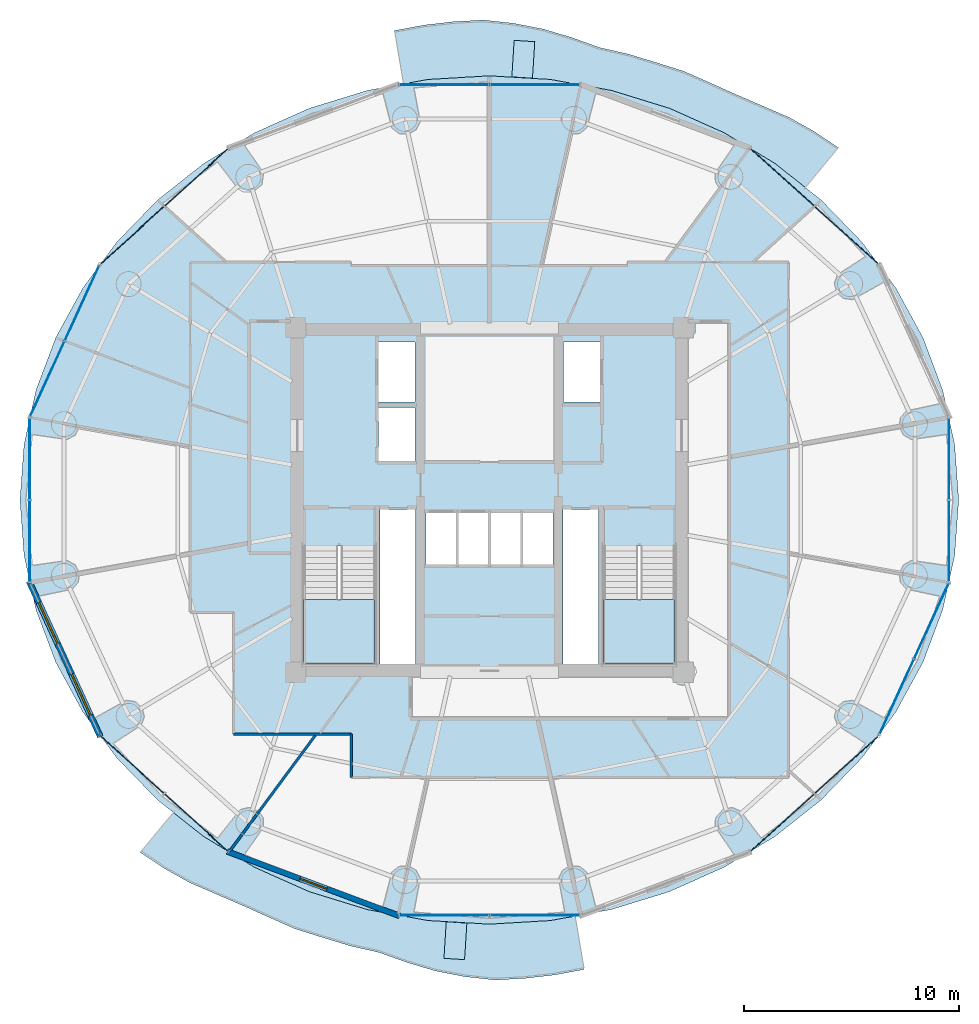
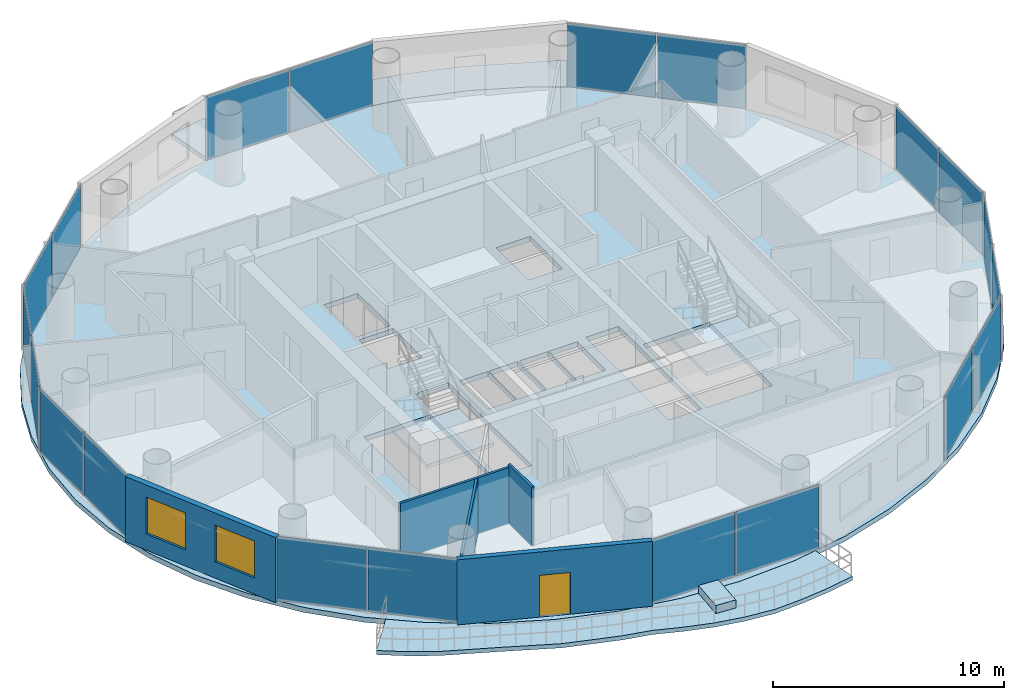
# One storey, part 19 of 27: 20 plates, 7 slabs, 5 walls, 2 windows, 1 door, 3 openings, 12 elements without a shape of their own.
"""IFC4 building model written with IfcOpenShell, lengths in metres."""

import ifcopenshell
import ifcopenshell.guid

model = None  # the IFC model being written
_history = None  # IfcOwnerHistory: only IFC2X3 demands one
_inside = {}  # id of a spatial element -> (the spatial element, [elements in it])
_under = {}  # id of a project, library or spatial element -> (it, [spatial elements below it])
_declared = {}  # id of a project -> (the project, [libraries it declares])
_typed = {}  # id of a type object -> (the type object, [elements of that type])
_made_of = {}  # id of a material, layer set ... -> (it, [elements and type objects made of it])


def new_model(schema):
    """Start an empty IFC model of exactly this schema.

    Asked for "IFC4X3", IfcOpenShell would pick the latest addendum, in which some entities
    have other attributes; the version numbers below select the first issue.
    IFC2X3 requires an IfcOwnerHistory on every rooted entity: one is made here for all.
    """
    global model, _history
    if schema == "IFC4X3":
        model = ifcopenshell.file(schema_version=(4, 3, 0, 0))
    else:
        model = ifcopenshell.file(schema=schema)
    _inside.clear()
    _under.clear()
    _declared.clear()
    _typed.clear()
    _made_of.clear()
    _history = None
    if model.schema == "IFC2X3":
        org = make("IfcOrganization", Name="unknown")
        user = make(
            "IfcPersonAndOrganization",
            ThePerson=make("IfcPerson", FamilyName="unknown"),
            TheOrganization=org,
        )
        app = make(
            "IfcApplication",
            ApplicationDeveloper=org,
            Version="unknown",
            ApplicationFullName="unknown",
            ApplicationIdentifier="unknown",
        )
        _history = make(
            "IfcOwnerHistory",
            OwningUser=user,
            OwningApplication=app,
            ChangeAction="ADDED",
            CreationDate=0,
        )
    return model


def make(cls, **values):
    """One entity of the class cls with the attributes given. An attribute that is None is left unset."""
    return model.create_entity(
        cls, **{name: value for name, value in values.items() if value is not None}
    )


def rooted(cls, **values):
    """An entity with a GlobalId (a new one), such as an element, a storey or a relation."""
    return make(cls, GlobalId=ifcopenshell.guid.new(), OwnerHistory=_history, **values)


def si_unit(unit_type, name, prefix=None):
    """IfcSIUnit, for example si_unit("LENGTHUNIT", "METRE", prefix="MILLI")."""
    return make("IfcSIUnit", UnitType=unit_type, Prefix=prefix, Name=name)


def assignment(units):
    """IfcUnitAssignment: the units of a project."""
    return None if units is None else make("IfcUnitAssignment", Units=units)


def point(xyz):
    """IfcCartesianPoint."""
    return None if xyz is None else make("IfcCartesianPoint", Coordinates=xyz)


def direction(xyz):
    """IfcDirection."""
    return None if xyz is None else make("IfcDirection", DirectionRatios=xyz)


def frame(location, z_axis=None, x_axis=None):
    """IfcAxis2Placement3D, a coordinate frame: its origin and axes. An axis left out is left unset."""
    return make(
        "IfcAxis2Placement3D",
        Location=point(location),
        Axis=direction(z_axis),
        RefDirection=direction(x_axis),
    )


def frame_2d(location, x_axis=None):
    """IfcAxis2Placement2D, a coordinate frame in the plane: its origin and x axis."""
    return make(
        "IfcAxis2Placement2D", Location=point(location), RefDirection=direction(x_axis)
    )


def origin():
    """The frame at (0, 0, 0) with its axes left unset."""
    return frame((0.0, 0.0, 0.0))


def origin_2d():
    """The frame at (0, 0) in the plane with its x axis left unset."""
    return frame_2d((0.0, 0.0))


def place(relative_to, where):
    """IfcLocalPlacement: puts the frame where relative to a parent placement (None: the world)."""
    return make(
        "IfcLocalPlacement", PlacementRelTo=relative_to, RelativePlacement=where
    )


def context(
    kind, dimensions, precision=None, world=None, true_north=None, identifier=None
):
    """IfcGeometricRepresentationContext, for example the 3D "Model" context."""
    return make(
        "IfcGeometricRepresentationContext",
        ContextIdentifier=identifier,
        ContextType=kind,
        CoordinateSpaceDimension=dimensions,
        Precision=precision,
        WorldCoordinateSystem=world,
        TrueNorth=true_north,
    )


def subcontext(parent, identifier, kind, view, scale=None):
    """IfcGeometricRepresentationSubContext, for example "Body" below "Model"."""
    return make(
        "IfcGeometricRepresentationSubContext",
        ContextIdentifier=identifier,
        ContextType=kind,
        ParentContext=parent,
        TargetScale=scale,
        TargetView=view,
    )


def project(units=None, contexts=None):
    """IfcProject with its units and contexts."""
    return rooted(
        "IfcProject",
        Name="project",
        RepresentationContexts=contexts,
        UnitsInContext=assignment(units),
    )


def spatial(cls, under=None, at=None, **own):
    """A site, building, storey or space (cls), placed at a placement, below another one or the project."""
    s = rooted(cls, ObjectPlacement=at, **own)
    if under is not None:
        _under.setdefault(under.id(), (under, []))[1].append(s)
    return s


def polyline(points):
    """IfcPolyline through the points."""
    return make("IfcPolyline", Points=[point(p) for p in points])


def profile(cls, at=None, kind="AREA", **sizes):
    """A parametric profile (cls). Its sizes go by their IFC names, for example OverallWidth=200.0."""
    return make(cls, ProfileType=kind, Position=at, **sizes)


def rectangle(**sizes):
    """IfcRectangleProfileDef."""
    return profile("IfcRectangleProfileDef", **sizes)


def outline(outer, holes=None, kind="AREA"):
    """IfcArbitraryClosedProfileDef: a profile drawn as a closed curve; with holes, ...WithVoids."""
    if holes is None:
        return make("IfcArbitraryClosedProfileDef", ProfileType=kind, OuterCurve=outer)
    return make(
        "IfcArbitraryProfileDefWithVoids",
        ProfileType=kind,
        OuterCurve=outer,
        InnerCurves=holes,
    )


def extrude(swept, where, along, depth):
    """IfcExtrudedAreaSolid: the profile swept, set in the frame where, extruded along a direction by depth."""
    return make(
        "IfcExtrudedAreaSolid",
        SweptArea=swept,
        Position=where,
        ExtrudedDirection=direction(along),
        Depth=depth,
    )


def shape(context_of_items, identifier, shape_type, items):
    """IfcShapeRepresentation: the items that make up one representation, for example the "Body"."""
    return make(
        "IfcShapeRepresentation",
        ContextOfItems=context_of_items,
        RepresentationIdentifier=identifier,
        RepresentationType=shape_type,
        Items=items,
    )


def source(mapping_origin, context_of_items, identifier, shape_type, items):
    """IfcRepresentationMap: a shape defined once, which mapped items show again and again."""
    return make(
        "IfcRepresentationMap",
        MappingOrigin=mapping_origin,
        MappedRepresentation=shape(context_of_items, identifier, shape_type, items),
    )


def transform(
    local_origin,
    x_axis=None,
    y_axis=None,
    z_axis=None,
    scale=None,
    scale2=None,
    scale3=None,
    uniform=True,
):
    """IfcCartesianTransformationOperator3D, or its non-uniform kind. x_axis, y_axis, z_axis: its Axis1, 2, 3."""
    if uniform:
        return make(
            "IfcCartesianTransformationOperator3D",
            Axis1=direction(x_axis),
            Axis2=direction(y_axis),
            LocalOrigin=point(local_origin),
            Scale=scale,
            Axis3=direction(z_axis),
        )
    return make(
        "IfcCartesianTransformationOperator3DnonUniform",
        Axis1=direction(x_axis),
        Axis2=direction(y_axis),
        LocalOrigin=point(local_origin),
        Scale=scale,
        Axis3=direction(z_axis),
        Scale2=scale2,
        Scale3=scale3,
    )


def mapped(mapping_source, mapping_target):
    """IfcMappedItem: shows the shape of a source again, moved by a transform."""
    return make(
        "IfcMappedItem", MappingSource=mapping_source, MappingTarget=mapping_target
    )


def material(Name=None, Category=None):
    """IfcMaterial."""
    return make("IfcMaterial", Name=Name, Category=Category)


def layer(
    of_material, thickness, ventilated=None, Name=None, Category=None, Priority=None
):
    """IfcMaterialLayer: one layer of a wall or slab, of a material (None: an air gap)."""
    return make(
        "IfcMaterialLayer",
        Material=of_material,
        LayerThickness=thickness,
        IsVentilated=ventilated,
        Name=Name,
        Category=Category,
        Priority=Priority,
    )


def layer_set(layers, Name=None):
    """IfcMaterialLayerSet."""
    return make("IfcMaterialLayerSet", MaterialLayers=layers, LayerSetName=Name)


def made_of(thing, what):
    """Note that an element or type object is made of a material, layer set ...; save() writes the relation."""
    if what is not None:
        _made_of.setdefault(what.id(), (what, []))[1].append(thing)
    return thing


def type_object(cls, material=None, **own):
    """A type object (cls), such as IfcWallType, which elements share."""
    return made_of(rooted(cls, **own), material)


def element(
    cls,
    number,
    at=None,
    inside=None,
    cuts=None,
    type_object=None,
    material=None,
    context=None,
    identifier="Body",
    shape_type=None,
    held_by="IfcProductDefinitionShape",
    body=None,
    shapes=None,
    **own,
):
    """One element of the class cls, such as IfcWall. Its Tag is "e" and its number.

    at: its placement. inside: the storey or other place that contains it. cuts: it is an
    opening in that element (IfcRelVoidsElement). A single representation is given by context,
    identifier, shape_type and body (its items); several are given by shapes. held_by: the class
    of the entity that holds the representations. save() writes the other relations.
    """
    e = rooted(cls, Tag="e%d" % number, ObjectPlacement=at, **own)
    if body is not None:
        shapes = [shape(context, identifier, shape_type, body)]
    if shapes is not None:
        e.Representation = make(held_by, Representations=shapes)
    if inside is not None:
        _inside.setdefault(inside.id(), (inside, []))[1].append(e)
    if cuts is not None:
        rooted(
            "IfcRelVoidsElement", RelatingBuildingElement=cuts, RelatedOpeningElement=e
        )
    if type_object is not None:
        _typed.setdefault(type_object.id(), (type_object, []))[1].append(e)
    return made_of(e, material)


def fill(opening, filler):
    """IfcRelFillsElement: the door or window that sits in an opening."""
    return rooted(
        "IfcRelFillsElement",
        RelatingOpeningElement=opening,
        RelatedBuildingElement=filler,
    )


def aggregate(whole, parts):
    """IfcRelAggregates: a whole, such as a stair, and the parts it consists of."""
    return rooted("IfcRelAggregates", RelatingObject=whole, RelatedObjects=parts)


def save(model, path):
    """Write the relations noted so far, then the file.

    IfcRelAggregates (storeys below a building ...), IfcRelContainedInSpatialStructure (elements
    in a storey), IfcRelDefinesByType, IfcRelAssociatesMaterial and IfcRelDeclares: one each for
    every whole, place, type object, material and project.
    """
    for whole, parts in _under.values():
        aggregate(whole, parts)
    for where, things in _inside.values():
        rooted(
            "IfcRelContainedInSpatialStructure",
            RelatedElements=things,
            RelatingStructure=where,
        )
    for kind, things in _typed.values():
        rooted("IfcRelDefinesByType", RelatedObjects=things, RelatingType=kind)
    for what, things in _made_of.values():
        rooted("IfcRelAssociatesMaterial", RelatedObjects=things, RelatingMaterial=what)
    for by, libraries in _declared.values():
        rooted("IfcRelDeclares", RelatingContext=by, RelatedDefinitions=libraries)
    model.write(path)


model = new_model("IFC4")

# Units and contexts
model_context = context("Model", 3, precision=1e-05, world=origin(), true_north=direction((-0.2419218956, 0.970295726276)))
body_context = subcontext(model_context, "Body", "Model", "MODEL_VIEW")
ifc_project = project(units=[si_unit("LENGTHUNIT", "METRE"), si_unit("AREAUNIT", "SQUARE_METRE"), si_unit("VOLUMEUNIT", "CUBIC_METRE"), si_unit("PLANEANGLEUNIT", "RADIAN"), si_unit("MASSUNIT", "GRAM", prefix="KILO")], contexts=[model_context])

# Site, building, storey
site_placement = place(None, origin())
site = spatial("IfcSite", under=ifc_project, at=site_placement, CompositionType="ELEMENT")
building_placement = place(site_placement, origin())
building = spatial("IfcBuilding", under=site, at=building_placement, Name="Cobrevalo Terracotta Tower", CompositionType="ELEMENT")
storey_placement = place(building_placement, frame((0.0, 0.0, 198.60009765625)))
storey = spatial("IfcBuildingStorey", under=building, at=storey_placement, Name="L52", CompositionType="ELEMENT", Elevation=198.60009765625)

# Stair, slab
ifc_material_1 = material(Name="Concrete C50", Category="concrete")
stair_type = type_object("IfcStairType", Name="Core protected escape dogleg stair 1600", PredefinedType="HALF_TURN_STAIR", material=ifc_material_1)
stair_1_placement = place(storey_placement, origin())
stair_1 = element("IfcStair", 1, at=stair_1_placement, inside=storey, type_object=stair_type, Name="L52 Protected exit stair ST-1", PredefinedType="HALF_TURN_STAIR")
ifc_layer_1 = layer(ifc_material_1, 0.199951171875)
ifc_layer_set_1 = layer_set([ifc_layer_1], Name="Concrete C50")
slab_type_1 = type_object("IfcSlabType", Name="Reinforced Concrete Stair Landing 200", PredefinedType="LANDING", material=ifc_layer_set_1)
slab_1_placement = place(storey_placement, frame((0.0, 0.0, 1.64990234375)))
slab_1 = element("IfcSlab", 2, at=slab_1_placement, type_object=slab_type_1, Name="ST-1 landing 1", PredefinedType="LANDING", context=body_context, shape_type="SweptSolid", body=[
    extrude(outline(polyline([(29.375, 22.179931640625), (29.375, 19.175048828125), (32.695068359375, 19.175048828125), (32.695068359375, 22.179931640625), (29.375, 22.179931640625)])), origin(), (0.0, 0.0, 1.0), 0.199951171875),
])
aggregate(stair_1, [slab_1])

stair_2_placement = place(storey_placement, origin())
stair_2 = element("IfcStair", 3, at=stair_2_placement, inside=storey, type_object=stair_type, Name="L52 Protected exit stair ST-2", PredefinedType="HALF_TURN_STAIR")
slab_2_placement = place(storey_placement, frame((0.0, 0.0, 1.64990234375)))
slab_2 = element("IfcSlab", 4, at=slab_2_placement, type_object=slab_type_1, Name="ST-2 landing 1", PredefinedType="LANDING", context=body_context, shape_type="SweptSolid", body=[
    extrude(outline(polyline([(43.304931640625, 22.179931640625), (43.304931640625, 19.175048828125), (46.625, 19.175048828125), (46.625, 22.179931640625), (43.304931640625, 22.179931640625)])), origin(), (0.0, 0.0, 1.0), 0.199951171875),
])
aggregate(stair_2, [slab_2])

# Slabs
ifc_material_2 = material(Name="Concrete C45", Category="concrete")
ifc_layer_2 = layer(ifc_material_2, 0.219970703125)
ifc_layer_set_2 = layer_set([ifc_layer_2], Name="Concrete C45")
slab_type_2 = type_object("IfcSlabType", Name="Spiralling cantilevered balcony lobe slab 220 mm", PredefinedType="FLOOR", material=ifc_layer_set_2)
slab_3_placement = place(storey_placement, frame((0.0, 0.0, -0.22021484375)))
element("IfcSlab", 5, at=slab_3_placement, inside=storey, type_object=slab_type_2, Name="L52 spiralling arc balcony slab lobe 1", PredefinedType="FLOOR", context=body_context, shape_type="SweptSolid", body=[
    extrude(outline(polyline([(54.21630859375, 43.160400390625), (53.09912109375, 43.90966796875), (51.9267578125, 44.56884765625), (50.68505859375, 45.10546875), (49.458984375, 45.634521484375), (48.238037109375, 46.18115234375), (47.015869140625, 46.72216796875), (45.73046875, 47.123291015625), (44.443115234375, 47.51611328125), (43.126708984375, 47.8134765625), (41.828369140625, 48.280029296875), (40.49560546875, 48.67626953125), (39.125244140625, 48.9423828125), (37.736083984375, 49.094482421875), (36.342529296875, 49.018798828125), (34.957763671875, 48.8583984375), (33.5927734375, 48.602783203125), (34.01025390625, 46.127685546875), (35.154296875, 46.33349609375), (38.0, 46.501953125), (40.845703125, 46.33349609375), (43.642822265625, 45.83056640625), (46.34326171875, 45.002197265625), (48.90087890625, 43.862548828125), (51.272216796875, 42.4306640625), (52.686767578125, 41.3095703125), (54.21630859375, 43.160400390625)])), origin(), (0.0, 0.0, 1.0), 0.22021484375),
])
slab_4_placement = place(storey_placement, frame((0.0, 0.0, -0.22021484375)))
element("IfcSlab", 6, at=slab_4_placement, inside=storey, type_object=slab_type_2, Name="L52 spiralling arc balcony slab lobe 2", PredefinedType="FLOOR", context=body_context, shape_type="SweptSolid", body=[
    extrude(outline(polyline([(21.78369140625, 10.439697265625), (22.90087890625, 9.6904296875), (24.0732421875, 9.03125), (25.31494140625, 8.494384765625), (26.541015625, 7.96533203125), (27.761962890625, 7.4189453125), (28.984130859375, 6.8779296875), (30.26953125, 6.476806640625), (31.556884765625, 6.083740234375), (32.873291015625, 5.78662109375), (34.171630859375, 5.320068359375), (35.50439453125, 4.923828125), (36.874755859375, 4.65771484375), (38.263916015625, 4.505615234375), (39.657470703125, 4.581298828125), (41.042236328125, 4.74169921875), (42.4072265625, 4.997314453125), (41.98974609375, 7.47216796875), (40.845703125, 7.2666015625), (38.0, 7.097900390625), (35.154296875, 7.2666015625), (32.357177734375, 7.769287109375), (29.65673828125, 8.59765625), (27.09912109375, 9.737548828125), (24.727783203125, 11.16943359375), (23.313232421875, 12.290283203125), (21.78369140625, 10.439697265625)])), origin(), (0.0, 0.0, 1.0), 0.22021484375),
])
ifc_material_3 = material(Name="Precast concrete C45", Category="concrete")
ifc_layer_3 = layer(ifc_material_3, 0.419921875)
ifc_layer_set_3 = layer_set([ifc_layer_3], Name="Precast concrete C45")
slab_type_3 = type_object("IfcSlabType", Name="Structural tree planter trough base 420 mm", PredefinedType="USERDEFINED", material=ifc_layer_set_3)
slab_5_placement = place(storey_placement, origin())
element("IfcSlab", 7, at=slab_5_placement, inside=storey, type_object=slab_type_3, Name="L52 structural tree planter trough 1", ObjectType="PLANTER", PredefinedType="USERDEFINED", context=body_context, shape_type="SweptSolid", body=[
    extrude(outline(polyline([(40.002197265625, 46.391357421875), (40.109619140625, 48.088134765625), (39.151611328125, 48.148681640625), (39.044189453125, 46.4521484375), (40.002197265625, 46.391357421875)])), origin(), (0.0, 0.0, 1.0), 0.419921875),
])
slab_6_placement = place(storey_placement, origin())
element("IfcSlab", 8, at=slab_6_placement, inside=storey, type_object=slab_type_3, Name="L52 structural tree planter trough 2", ObjectType="PLANTER", PredefinedType="USERDEFINED", context=body_context, shape_type="SweptSolid", body=[
    extrude(outline(polyline([(35.997802734375, 7.20849609375), (35.890380859375, 5.511962890625), (36.848388671875, 5.451171875), (36.955810546875, 7.14794921875), (35.997802734375, 7.20849609375)])), origin(), (0.0, 0.0, 1.0), 0.419921875),
])
ifc_layer_4 = layer(ifc_material_2, 0.264892578125)
ifc_layer_set_4 = layer_set([ifc_layer_4], Name="Concrete C45")
slab_type_4 = type_object("IfcSlabType", Name="Zone Z4 elliptical floor plate 265 mm", PredefinedType="FLOOR", material=ifc_layer_set_4)
slab_7_placement = place(storey_placement, frame((0.0, 0.0, -0.26513671875)))
element("IfcSlab", 9, at=slab_7_placement, inside=storey, type_object=slab_type_4, Name="L52 indoor elliptical floor slab", PredefinedType="FLOOR", context=body_context, shape_type="SweptSolid", body=[
    extrude(outline(polyline([(59.613525390625, 24.228515625), (59.05712890625, 21.701171875), (58.140625, 19.26123046875), (56.87939453125, 16.949951171875), (55.295166015625, 14.807373046875), (53.4150390625, 12.8701171875), (51.27099609375, 11.1708984375), (48.89990234375, 9.7392578125), (46.342529296875, 8.599609375), (43.642333984375, 7.771240234375), (40.845458984375, 7.2685546875), (38.0, 7.10009765625), (35.154541015625, 7.2685546875), (32.357666015625, 7.771240234375), (29.657470703125, 8.599609375), (27.10009765625, 9.7392578125), (24.72900390625, 11.1708984375), (22.5849609375, 12.8701171875), (20.704833984375, 14.807373046875), (19.12060546875, 16.949951171875), (17.859375, 19.26123046875), (16.94287109375, 21.701171875), (16.386474609375, 24.228515625), (16.199951171875, 26.800048828125), (16.386474609375, 29.371337890625), (16.94287109375, 31.898681640625), (17.859375, 34.3388671875), (19.12060546875, 36.64990234375), (20.704833984375, 38.79248046875), (22.5849609375, 40.72998046875), (24.72900390625, 42.428955078125), (27.10009765625, 43.860595703125), (29.657470703125, 45.00048828125), (32.357666015625, 45.828857421875), (35.154541015625, 46.33154296875), (38.0, 46.5), (40.845458984375, 46.33154296875), (43.642333984375, 45.828857421875), (46.342529296875, 45.00048828125), (48.89990234375, 43.860595703125), (51.27099609375, 42.428955078125), (53.4150390625, 40.72998046875), (55.295166015625, 38.79248046875), (56.87939453125, 36.64990234375), (58.140625, 34.3388671875), (59.05712890625, 31.898681640625), (59.613525390625, 29.371337890625), (59.800048828125, 26.800048828125), (59.613525390625, 24.228515625)]), holes=[polyline([(32.695068359375, 19.175048828125), (32.695068359375, 24.659912109375), (29.375, 24.659912109375), (29.375, 19.175048828125), (32.695068359375, 19.175048828125)]), polyline([(34.574951171875, 26.360107421875), (32.919921875, 26.360107421875), (32.919921875, 19.175048828125), (34.574951171875, 19.175048828125), (34.574951171875, 26.360107421875)]), polyline([(36.47998046875, 26.25), (35.050048828125, 26.25), (35.050048828125, 23.800048828125), (36.47998046875, 23.800048828125), (36.47998046875, 26.25)]), polyline([(37.9599609375, 23.800048828125), (37.9599609375, 26.25), (36.530029296875, 26.25), (36.530029296875, 23.800048828125), (37.9599609375, 23.800048828125)]), polyline([(34.550048828125, 28.60009765625), (34.550048828125, 31.10009765625), (32.85009765625, 31.10009765625), (32.85009765625, 28.60009765625), (34.550048828125, 28.60009765625)]), polyline([(34.550048828125, 34.14990234375), (32.85009765625, 34.14990234375), (32.85009765625, 31.35009765625), (34.550048828125, 31.35009765625), (34.550048828125, 34.14990234375)]), polyline([(43.304931640625, 19.175048828125), (46.625, 19.175048828125), (46.625, 24.659912109375), (43.304931640625, 24.659912109375), (43.304931640625, 19.175048828125)]), polyline([(43.080078125, 19.175048828125), (43.080078125, 26.360107421875), (41.425048828125, 26.360107421875), (41.425048828125, 19.175048828125), (43.080078125, 19.175048828125)]), polyline([(39.469970703125, 26.25), (38.0400390625, 26.25), (38.0400390625, 23.800048828125), (39.469970703125, 23.800048828125), (39.469970703125, 26.25)]), polyline([(40.949951171875, 23.800048828125), (40.949951171875, 26.25), (39.52001953125, 26.25), (39.52001953125, 23.800048828125), (40.949951171875, 23.800048828125)]), polyline([(43.14990234375, 31.35009765625), (43.14990234375, 34.14990234375), (41.449951171875, 34.14990234375), (41.449951171875, 31.35009765625), (43.14990234375, 31.35009765625)])]), origin(), (0.0, 0.0, 1.0), 0.26513671875),
])

# Curtain wall, plates
ifc_material_4 = material(Name="Anodized aluminium", Category="aluminium")
curtain_wall_type = type_object("IfcCurtainWallType", Name="Mid-tower high-wind unitised curtain wall CW-U2", PredefinedType="NOTDEFINED", material=ifc_material_4)
curtain_wall_1_placement = place(storey_placement, origin())
curtain_wall_1 = element("IfcCurtainWall", 10, at=curtain_wall_1_placement, inside=storey, type_object=curtain_wall_type, Name="L52 curtain wall CW-L52-S02", PredefinedType="NOTDEFINED")
ifc_material_5 = material(Name="Solar-control low-E double glazing", Category="glass")
ifc_layer_5 = layer(ifc_material_5, 0.028076171875)
ifc_layer_set_5 = layer_set([ifc_layer_5], Name="Solar-control low-E double glazing")
plate_type = type_object("IfcPlateType", Name="Tower solar-control low-E vision glass panel 28 mm", PredefinedType="CURTAIN_PANEL", material=ifc_layer_set_5)
shared_shape_1 = source(origin(), body_context, "Body", "SweptSolid", [
    extrude(rectangle(XDim=3.927490234375, YDim=0.035888671875, at=origin_2d()), origin(), (0.0, 0.0, 1.0), 3.35498046875),
])
plate_1_placement = place(storey_placement, frame((54.584716796875, 39.09814453125, 0.039794921875), z_axis=(0.0, 0.0, 1.0), x_axis=(-0.741987542015, 0.670413668935, 0.0)))
plate_1 = element("IfcPlate", 11, at=plate_1_placement, type_object=plate_type, Name="CW-L52-S02 glazing panel B01", PredefinedType="CURTAIN_PANEL", context=body_context, shape_type="MappedRepresentation", body=[
    mapped(shared_shape_1, transform((0.0, 0.0, 0.0), scale=1.0)),
])
plate_2_placement = place(storey_placement, frame((51.611083984375, 41.784912109375, 0.039794921875), z_axis=(0.0, 0.0, 1.0), x_axis=(-0.741987542015, 0.670413668935, 0.0)))
plate_2 = element("IfcPlate", 12, at=plate_2_placement, type_object=plate_type, Name="CW-L52-S02 glazing panel B02", PredefinedType="CURTAIN_PANEL", context=body_context, shape_type="MappedRepresentation", body=[
    mapped(shared_shape_1, transform((0.0, 0.0, 0.0), scale=1.0)),
])
aggregate(curtain_wall_1, [plate_1, plate_2])

curtain_wall_2_placement = place(storey_placement, origin())
curtain_wall_2 = element("IfcCurtainWall", 13, at=curtain_wall_2_placement, inside=storey, type_object=curtain_wall_type, Name="L52 curtain wall CW-L52-S06", PredefinedType="NOTDEFINED")
plate_3_placement = place(storey_placement, frame((24.388916015625, 41.784912109375, 0.039794921875), z_axis=(0.0, 0.0, 1.0), x_axis=(-0.741987542015, -0.670413668935, 0.0)))
plate_3 = element("IfcPlate", 14, at=plate_3_placement, type_object=plate_type, Name="CW-L52-S06 glazing panel B01", PredefinedType="CURTAIN_PANEL", context=body_context, shape_type="MappedRepresentation", body=[
    mapped(shared_shape_1, transform((0.0, 0.0, 0.0), scale=1.0)),
])
plate_4_placement = place(storey_placement, frame((21.415283203125, 39.09814453125, 0.039794921875), z_axis=(0.0, 0.0, 1.0), x_axis=(-0.741987542015, -0.670413668935, 0.0)))
plate_4 = element("IfcPlate", 15, at=plate_4_placement, type_object=plate_type, Name="CW-L52-S06 glazing panel B02", PredefinedType="CURTAIN_PANEL", context=body_context, shape_type="MappedRepresentation", body=[
    mapped(shared_shape_1, transform((0.0, 0.0, 0.0), scale=1.0)),
])
aggregate(curtain_wall_2, [plate_3, plate_4])

curtain_wall_3_placement = place(storey_placement, origin())
curtain_wall_3 = element("IfcCurtainWall", 16, at=curtain_wall_3_placement, inside=storey, type_object=curtain_wall_type, Name="L52 curtain wall CW-L52-S10", PredefinedType="NOTDEFINED")
plate_5_placement = place(storey_placement, frame((21.415283203125, 14.501708984375, 0.039794921875), z_axis=(0.0, 0.0, 1.0), x_axis=(0.741987542015, -0.670413668935, 0.0)))
plate_5 = element("IfcPlate", 17, at=plate_5_placement, type_object=plate_type, Name="CW-L52-S10 glazing panel B01", PredefinedType="CURTAIN_PANEL", context=body_context, shape_type="MappedRepresentation", body=[
    mapped(shared_shape_1, transform((0.0, 0.0, 0.0), scale=1.0)),
])
plate_6_placement = place(storey_placement, frame((24.388916015625, 11.815185546875, 0.039794921875), z_axis=(0.0, 0.0, 1.0), x_axis=(0.741987542015, -0.670413668935, 0.0)))
plate_6 = element("IfcPlate", 18, at=plate_6_placement, type_object=plate_type, Name="CW-L52-S10 glazing panel B02", PredefinedType="CURTAIN_PANEL", context=body_context, shape_type="MappedRepresentation", body=[
    mapped(shared_shape_1, transform((0.0, 0.0, 0.0), scale=1.0)),
])
aggregate(curtain_wall_3, [plate_5, plate_6])

curtain_wall_4_placement = place(storey_placement, origin())
curtain_wall_4 = element("IfcCurtainWall", 19, at=curtain_wall_4_placement, inside=storey, type_object=curtain_wall_type, Name="L52 curtain wall CW-L52-S14", PredefinedType="NOTDEFINED")
plate_7_placement = place(storey_placement, frame((51.611083984375, 11.815185546875, 0.039794921875), z_axis=(0.0, 0.0, 1.0), x_axis=(0.741987542015, 0.670413668935, 0.0)))
plate_7 = element("IfcPlate", 20, at=plate_7_placement, type_object=plate_type, Name="CW-L52-S14 glazing panel B01", PredefinedType="CURTAIN_PANEL", context=body_context, shape_type="MappedRepresentation", body=[
    mapped(shared_shape_1, transform((0.0, 0.0, 0.0), scale=1.0)),
])
plate_8_placement = place(storey_placement, frame((54.584716796875, 14.501708984375, 0.039794921875), z_axis=(0.0, 0.0, 1.0), x_axis=(0.741987542015, 0.670413668935, 0.0)))
plate_8 = element("IfcPlate", 21, at=plate_8_placement, type_object=plate_type, Name="CW-L52-S14 glazing panel B02", PredefinedType="CURTAIN_PANEL", context=body_context, shape_type="MappedRepresentation", body=[
    mapped(shared_shape_1, transform((0.0, 0.0, 0.0), scale=1.0)),
])
aggregate(curtain_wall_4, [plate_7, plate_8])

curtain_wall_5_placement = place(storey_placement, origin())
curtain_wall_5 = element("IfcCurtainWall", 22, at=curtain_wall_5_placement, inside=storey, type_object=curtain_wall_type, Name="L52 curtain wall CW-L52-S04", PredefinedType="NOTDEFINED")
shared_shape_2 = source(origin(), body_context, "Body", "SweptSolid", [
    extrude(rectangle(XDim=4.127197265625, YDim=0.035888671875, at=origin_2d()), origin(), (0.0, 0.0, 1.0), 3.35498046875),
])
plate_9_placement = place(storey_placement, frame((40.103515625, 46.092041015625, 0.039794921875), z_axis=(0.0, 0.0, 1.0), x_axis=(-1.0, 0.0, 0.0)))
plate_9 = element("IfcPlate", 23, at=plate_9_placement, type_object=plate_type, Name="CW-L52-S04 glazing panel B01", PredefinedType="CURTAIN_PANEL", context=body_context, shape_type="MappedRepresentation", body=[
    mapped(shared_shape_2, transform((0.0, 0.0, 0.0), scale=1.0)),
])
plate_10_placement = place(storey_placement, frame((35.896484375, 46.092041015625, 0.039794921875), z_axis=(0.0, 0.0, 1.0), x_axis=(-1.0, 0.0, 0.0)))
plate_10 = element("IfcPlate", 24, at=plate_10_placement, type_object=plate_type, Name="CW-L52-S04 glazing panel B02", PredefinedType="CURTAIN_PANEL", context=body_context, shape_type="MappedRepresentation", body=[
    mapped(shared_shape_2, transform((0.0, 0.0, 0.0), scale=1.0)),
])
aggregate(curtain_wall_5, [plate_9, plate_10])

curtain_wall_6_placement = place(storey_placement, origin())
curtain_wall_6 = element("IfcCurtainWall", 25, at=curtain_wall_6_placement, inside=storey, type_object=curtain_wall_type, Name="L52 curtain wall CW-L52-S12", PredefinedType="NOTDEFINED")
plate_11_placement = place(storey_placement, frame((35.896484375, 7.508056640625, 0.039794921875), z_axis=(0.0, 0.0, 1.0), x_axis=(1.0, 0.0, 0.0)))
plate_11 = element("IfcPlate", 26, at=plate_11_placement, type_object=plate_type, Name="CW-L52-S12 glazing panel B01", PredefinedType="CURTAIN_PANEL", context=body_context, shape_type="MappedRepresentation", body=[
    mapped(shared_shape_2, transform((0.0, 0.0, 0.0), scale=1.0)),
])
plate_12_placement = place(storey_placement, frame((40.103515625, 7.508056640625, 0.039794921875), z_axis=(0.0, 0.0, 1.0), x_axis=(1.0, 0.0, 0.0)))
plate_12 = element("IfcPlate", 27, at=plate_12_placement, type_object=plate_type, Name="CW-L52-S12 glazing panel B02", PredefinedType="CURTAIN_PANEL", context=body_context, shape_type="MappedRepresentation", body=[
    mapped(shared_shape_2, transform((0.0, 0.0, 0.0), scale=1.0)),
])
aggregate(curtain_wall_6, [plate_11, plate_12])

curtain_wall_7_placement = place(storey_placement, origin())
curtain_wall_7 = element("IfcCurtainWall", 28, at=curtain_wall_7_placement, inside=storey, type_object=curtain_wall_type, Name="L52 curtain wall CW-L52-S07", PredefinedType="NOTDEFINED")
shared_shape_3 = source(origin(), body_context, "Body", "SweptSolid", [
    extrude(rectangle(XDim=3.780029296875, YDim=0.035888671875, at=origin_2d()), origin(), (0.0, 0.0, 1.0), 3.35498046875),
])
plate_13_placement = place(storey_placement, frame((19.077880859375, 35.937255859375, 0.039794921875), z_axis=(0.0, 0.0, 1.0), x_axis=(-0.416731425355, -0.909029657999, 0.0)))
plate_13 = element("IfcPlate", 29, at=plate_13_placement, type_object=plate_type, Name="CW-L52-S07 glazing panel B01", PredefinedType="CURTAIN_PANEL", context=body_context, shape_type="MappedRepresentation", body=[
    mapped(shared_shape_3, transform((0.0, 0.0, 0.0), scale=1.0)),
])
plate_14_placement = place(storey_placement, frame((17.46923828125, 32.42822265625, 0.039794921875), z_axis=(0.0, 0.0, 1.0), x_axis=(-0.416731425355, -0.909029657999, 0.0)))
plate_14 = element("IfcPlate", 30, at=plate_14_placement, type_object=plate_type, Name="CW-L52-S07 glazing panel B02", PredefinedType="CURTAIN_PANEL", context=body_context, shape_type="MappedRepresentation", body=[
    mapped(shared_shape_3, transform((0.0, 0.0, 0.0), scale=1.0)),
])
aggregate(curtain_wall_7, [plate_13, plate_14])

curtain_wall_8_placement = place(storey_placement, origin())
curtain_wall_8 = element("IfcCurtainWall", 31, at=curtain_wall_8_placement, inside=storey, type_object=curtain_wall_type, Name="L52 curtain wall CW-L52-S15", PredefinedType="NOTDEFINED")
plate_15_placement = place(storey_placement, frame((56.922119140625, 17.662841796875, 0.039794921875), z_axis=(0.0, 0.0, 1.0), x_axis=(0.416731425355, 0.909029657999, 0.0)))
plate_15 = element("IfcPlate", 32, at=plate_15_placement, type_object=plate_type, Name="CW-L52-S15 glazing panel B01", PredefinedType="CURTAIN_PANEL", context=body_context, shape_type="MappedRepresentation", body=[
    mapped(shared_shape_3, transform((0.0, 0.0, 0.0), scale=1.0)),
])
plate_16_placement = place(storey_placement, frame((58.53076171875, 21.171630859375, 0.039794921875), z_axis=(0.0, 0.0, 1.0), x_axis=(0.416731425355, 0.909029657999, 0.0)))
plate_16 = element("IfcPlate", 33, at=plate_16_placement, type_object=plate_type, Name="CW-L52-S15 glazing panel B02", PredefinedType="CURTAIN_PANEL", context=body_context, shape_type="MappedRepresentation", body=[
    mapped(shared_shape_3, transform((0.0, 0.0, 0.0), scale=1.0)),
])
aggregate(curtain_wall_8, [plate_15, plate_16])

curtain_wall_9_placement = place(storey_placement, origin())
curtain_wall_9 = element("IfcCurtainWall", 34, at=curtain_wall_9_placement, inside=storey, type_object=curtain_wall_type, Name="L52 curtain wall CW-L52-S08", PredefinedType="NOTDEFINED")
shared_shape_4 = source(origin(), body_context, "Body", "SweptSolid", [
    extrude(rectangle(XDim=3.71728515625, YDim=0.035888671875, at=origin_2d()), origin(), (0.0, 0.0, 1.0), 3.35498046875),
])
plate_17_placement = place(storey_placement, frame((16.648193359375, 28.69873046875, 0.039794921875), z_axis=(0.0, 0.0, 1.0), x_axis=(0.0, -1.0, 0.0)))
plate_17 = element("IfcPlate", 35, at=plate_17_placement, type_object=plate_type, Name="CW-L52-S08 glazing panel B01", PredefinedType="CURTAIN_PANEL", context=body_context, shape_type="MappedRepresentation", body=[
    mapped(shared_shape_4, transform((0.0, 0.0, 0.0), scale=1.0)),
])
plate_18_placement = place(storey_placement, frame((16.648193359375, 24.9013671875, 0.039794921875), z_axis=(0.0, 0.0, 1.0), x_axis=(0.0, -1.0, 0.0)))
plate_18 = element("IfcPlate", 36, at=plate_18_placement, type_object=plate_type, Name="CW-L52-S08 glazing panel B02", PredefinedType="CURTAIN_PANEL", context=body_context, shape_type="MappedRepresentation", body=[
    mapped(shared_shape_4, transform((0.0, 0.0, 0.0), scale=1.0)),
])
aggregate(curtain_wall_9, [plate_17, plate_18])

curtain_wall_10_placement = place(storey_placement, origin())
curtain_wall_10 = element("IfcCurtainWall", 37, at=curtain_wall_10_placement, inside=storey, type_object=curtain_wall_type, Name="L52 curtain wall CW-L52-S16", PredefinedType="NOTDEFINED")
plate_19_placement = place(storey_placement, frame((59.351806640625, 24.9013671875, 0.039794921875), z_axis=(0.0, 0.0, 1.0), x_axis=(0.0, 1.0, 0.0)))
plate_19 = element("IfcPlate", 38, at=plate_19_placement, type_object=plate_type, Name="CW-L52-S16 glazing panel B01", PredefinedType="CURTAIN_PANEL", context=body_context, shape_type="MappedRepresentation", body=[
    mapped(shared_shape_4, transform((0.0, 0.0, 0.0), scale=1.0)),
])
plate_20_placement = place(storey_placement, frame((59.351806640625, 28.69873046875, 0.039794921875), z_axis=(0.0, 0.0, 1.0), x_axis=(0.0, 1.0, 0.0)))
plate_20 = element("IfcPlate", 39, at=plate_20_placement, type_object=plate_type, Name="CW-L52-S16 glazing panel B02", PredefinedType="CURTAIN_PANEL", context=body_context, shape_type="MappedRepresentation", body=[
    mapped(shared_shape_4, transform((0.0, 0.0, 0.0), scale=1.0)),
])
aggregate(curtain_wall_10, [plate_19, plate_20])

# Wall, openings, windows
ifc_material_6 = material(Name="Autoclaved aerated concrete block", Category="concrete")
ifc_layer_6 = layer(ifc_material_6, 0.280029296875)
ifc_layer_set_6 = layer_set([ifc_layer_6], Name="Autoclaved aerated concrete block")
wall_type_1 = type_object("IfcWallType", Name="Insulated tower spandrel & pier wall 280 mm with terracotta rainscreen", PredefinedType="SOLIDWALL", material=ifc_layer_set_6)
wall_1_placement = place(storey_placement, frame((16.614990234375, 23.035400390625, 0.0), z_axis=(0.0, 0.0, 1.0), x_axis=(0.416717018135, -0.909036262641, 0.0)))
wall_1 = element("IfcWall", 40, at=wall_1_placement, inside=storey, type_object=wall_type_1, Name="L52 terracotta rainscreen pier wall S09", PredefinedType="SOLIDWALL", context=body_context, shape_type="SweptSolid", body=[
    extrude(rectangle(XDim=7.960205078125, YDim=0.280029296875, at=frame_2d((3.97998046875, 0.0))), origin(), (0.0, 0.0, 1.0), 3.434814453125),
])
opening_1_placement = place(wall_1_placement, frame((1.099365234375, 0.0, 0.85009765625)))
opening_1 = element("IfcOpeningElement", 41, at=opening_1_placement, cuts=wall_1, Name="Opening WN-10", PredefinedType="OPENING", context=body_context, shape_type="SweptSolid", body=[
    extrude(rectangle(XDim=2.10009765625, YDim=1.949951171875, at=frame_2d((1.050048828125, 0.97509765625))), frame((0.0, 0.14990234375, 0.0), z_axis=(0.0, -1.0, 0.0), x_axis=(1.0, 0.0, 0.0)), (0.0, 0.0, 1.0), 0.300048828125),
])
opening_2_placement = place(wall_1_placement, frame((4.760986328125, 0.0, 0.85009765625)))
opening_2 = element("IfcOpeningElement", 42, at=opening_2_placement, cuts=wall_1, Name="Opening WN-10", PredefinedType="OPENING", context=body_context, shape_type="SweptSolid", body=[
    extrude(rectangle(XDim=2.10009765625, YDim=1.949951171875, at=frame_2d((1.050048828125, 0.97509765625))), frame((0.0, 0.14990234375, 0.0), z_axis=(0.0, -1.0, 0.0), x_axis=(1.0, 0.0, 0.0)), (0.0, 0.0, 1.0), 0.300048828125),
])
window_type = type_object("IfcWindowType", Name="Wide panoramic low-E aluminium window 2100x1950", PartitioningType="SINGLE_PANEL", PredefinedType="WINDOW", material=ifc_material_5)
shared_shape_5 = source(origin(), body_context, "Body", "SweptSolid", [
    extrude(rectangle(XDim=2.10009765625, YDim=1.949951171875, at=frame_2d((1.050048828125, 0.97509765625))), frame((0.0, 0.030029296875, 0.0), z_axis=(0.0, -1.0, 0.0), x_axis=(1.0, 0.0, 0.0)), (0.0, 0.0, 1.0), 0.06005859375),
])
window_1_placement = place(opening_1_placement, origin())
window_1 = element("IfcWindow", 43, at=window_1_placement, inside=storey, type_object=window_type, Name="L52 suite window S09A", OverallHeight=1.949951171875, OverallWidth=2.10009765625, PartitioningType="SINGLE_PANEL", PredefinedType="WINDOW", context=body_context, shape_type="MappedRepresentation", body=[
    mapped(shared_shape_5, transform((0.0, 0.0, 0.0), scale=1.0)),
])
fill(opening_1, window_1)
window_2_placement = place(opening_2_placement, origin())
window_2 = element("IfcWindow", 44, at=window_2_placement, inside=storey, type_object=window_type, Name="L52 suite window S09B", OverallHeight=1.949951171875, OverallWidth=2.10009765625, PartitioningType="SINGLE_PANEL", PredefinedType="WINDOW", context=body_context, shape_type="MappedRepresentation", body=[
    mapped(shared_shape_5, transform((0.0, 0.0, 0.0), scale=1.0)),
])
fill(opening_2, window_2)

# Wall, opening, door
ifc_layer_7 = layer(ifc_material_6, 0.260009765625)
ifc_layer_set_7 = layer_set([ifc_layer_7], Name="Autoclaved aerated concrete block")
wall_type_2 = type_object("IfcWallType", Name="Recessed balcony loggia insulated exterior wall 260 mm", PredefinedType="SOLIDWALL", material=ifc_layer_set_7)
wall_2_placement = place(storey_placement, frame((25.830322265625, 10.47314453125, 0.0), z_axis=(0.0, 0.0, 1.0), x_axis=(0.936556918375, -0.350515532672, 0.0)))
wall_2 = element("IfcWall", 45, at=wall_2_placement, inside=storey, type_object=wall_type_2, Name="L52 balcony loggia wall S11", PredefinedType="SOLIDWALL", context=body_context, shape_type="SweptSolid", body=[
    extrude(rectangle(XDim=8.539306640625, YDim=0.260009765625, at=frame_2d((4.26953125, 0.0))), origin(), (0.0, 0.0, 1.0), 3.434814453125),
])
opening_3_placement = place(wall_2_placement, frame((3.594482421875, 0.0, 0.0)))
opening_3 = element("IfcOpeningElement", 46, at=opening_3_placement, cuts=wall_2, Name="Opening ED-05", PredefinedType="OPENING", context=body_context, shape_type="SweptSolid", body=[
    extrude(rectangle(XDim=1.35009765625, YDim=2.199951171875, at=frame_2d((0.675048828125, 1.10009765625))), frame((0.0, 0.14013671875, 0.0), z_axis=(0.0, -1.0, 0.0), x_axis=(1.0, 0.0, 0.0)), (0.0, 0.0, 1.0), 0.280029296875),
])
ifc_material_7 = material(Name="Anodized aluminium and laminated glass", Category="aluminium")
door_type = type_object("IfcDoorType", Name="Suite balcony acoustic glazed terrace door 1350x2200", OperationType="NOTDEFINED", PredefinedType="DOOR", material=ifc_material_7)
shared_shape_6 = source(origin(), body_context, "Body", "SweptSolid", [
    extrude(rectangle(XDim=1.35009765625, YDim=2.199951171875, at=frame_2d((0.675048828125, 1.10009765625))), frame((0.0, 0.02490234375, 0.0), z_axis=(0.0, -1.0, 0.0), x_axis=(1.0, 0.0, 0.0)), (0.0, 0.0, 1.0), 0.050048828125),
])
door_placement = place(opening_3_placement, frame((1.35009765625, 0.0, 0.0), z_axis=(0.0, 0.0, 1.0), x_axis=(-1.0, 0.0, 0.0)))
door = element("IfcDoor", 47, at=door_placement, inside=storey, type_object=door_type, Name="L52 glazed balcony terrace door 2", OperationType="SINGLE_SWING_RIGHT", OverallHeight=2.199951171875, OverallWidth=1.35009765625, PredefinedType="DOOR", context=body_context, shape_type="MappedRepresentation", body=[
    mapped(shared_shape_6, transform((0.0, 0.0, 0.0), scale=1.0)),
])
fill(opening_3, door)

# Walls
ifc_material_8 = material(Name="Gypsum board on steel stud", Category="steel")
ifc_layer_8 = layer(ifc_material_8, 0.1201171875)
ifc_layer_set_8 = layer_set([ifc_layer_8], Name="Gypsum board on steel stud")
wall_type_3 = type_object("IfcWallType", Name="Residential internal acoustic stud partition 120 mm", PredefinedType="PARTITIONING", material=ifc_layer_set_8)
wall_3_placement = place(storey_placement, frame((31.590087890625, 13.9150390625, 0.0), z_axis=(0.0, 0.0, 1.0), x_axis=(0.0, 1.0, 0.0)))
element("IfcWall", 48, at=wall_3_placement, inside=storey, type_object=wall_type_3, Name="L52 interior partition IW-L52-U3-RING1_0", PredefinedType="PARTITIONING", context=body_context, shape_type="SweptSolid", body=[
    extrude(rectangle(XDim=2.010009765625, YDim=0.1201171875, at=frame_2d((1.0048828125, 0.0))), origin(), (0.0, 0.0, 1.0), 3.10986328125),
])
wall_4_placement = place(storey_placement, frame((31.590087890625, 15.925048828125, 0.0), z_axis=(0.0, 0.0, 1.0), x_axis=(-1.0, 0.0, 0.0)))
element("IfcWall", 49, at=wall_4_placement, inside=storey, type_object=wall_type_3, Name="L52 interior partition IW-L52-U3-RING2_0", PredefinedType="PARTITIONING", context=body_context, shape_type="SweptSolid", body=[
    extrude(rectangle(XDim=5.465087890625, YDim=0.1201171875, at=frame_2d((2.732421875, 0.0))), origin(), (0.0, 0.0, 1.0), 2.950927734375),
])
wall_5_placement = place(storey_placement, frame((29.922119140625, 15.875244140625, 0.0), z_axis=(0.0, 0.0, 1.0), x_axis=(-0.594524636617, -0.804077394568, 0.0)))
element("IfcWall", 50, at=wall_5_placement, inside=storey, type_object=wall_type_3, Name="L52 interior partition IW-L52-U3-ORAD1", PredefinedType="PARTITIONING", context=body_context, shape_type="SweptSolid", body=[
    extrude(rectangle(XDim=6.680419921875, YDim=0.1201171875, at=frame_2d((3.34033203125, 0.0))), origin(), (0.0, 0.0, 1.0), 2.950927734375),
])

save(model, "model.ifc")
